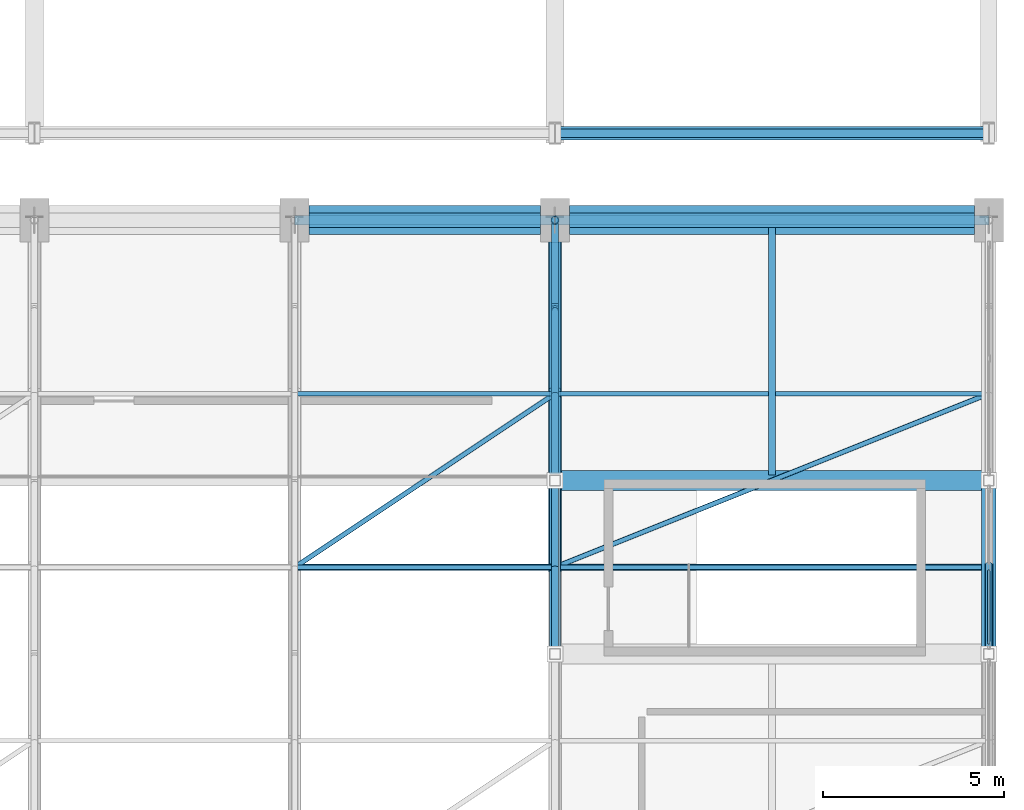
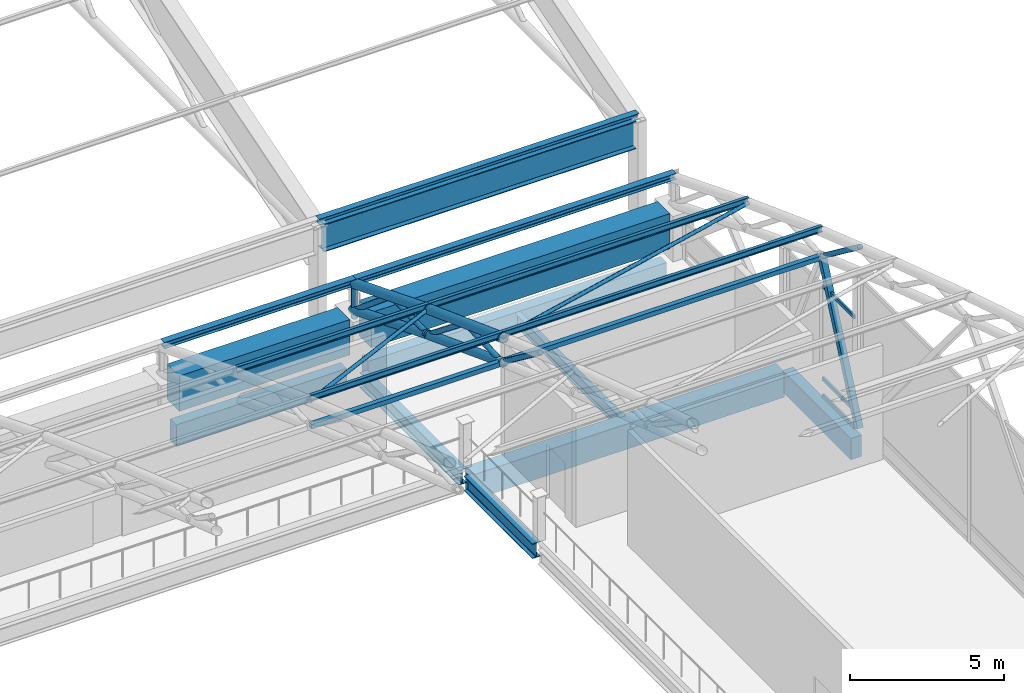
# One storey, part 60 of 116: 26 members, 10 beams, 1 element without a shape of its own.
"""IFC4 building model written with IfcOpenShell, lengths in metres."""

import ifcopenshell
import ifcopenshell.guid

model = None  # the IFC model being written
_history = None  # IfcOwnerHistory: only IFC2X3 demands one
_inside = {}  # id of a spatial element -> (the spatial element, [elements in it])
_under = {}  # id of a project, library or spatial element -> (it, [spatial elements below it])
_declared = {}  # id of a project -> (the project, [libraries it declares])
_typed = {}  # id of a type object -> (the type object, [elements of that type])
_made_of = {}  # id of a material, layer set ... -> (it, [elements and type objects made of it])


def new_model(schema):
    """Start an empty IFC model of exactly this schema.

    Asked for "IFC4X3", IfcOpenShell would pick the latest addendum, in which some entities
    have other attributes; the version numbers below select the first issue.
    IFC2X3 requires an IfcOwnerHistory on every rooted entity: one is made here for all.
    """
    global model, _history
    if schema == "IFC4X3":
        model = ifcopenshell.file(schema_version=(4, 3, 0, 0))
    else:
        model = ifcopenshell.file(schema=schema)
    _inside.clear()
    _under.clear()
    _declared.clear()
    _typed.clear()
    _made_of.clear()
    _history = None
    if model.schema == "IFC2X3":
        org = make("IfcOrganization", Name="unknown")
        user = make(
            "IfcPersonAndOrganization",
            ThePerson=make("IfcPerson", FamilyName="unknown"),
            TheOrganization=org,
        )
        app = make(
            "IfcApplication",
            ApplicationDeveloper=org,
            Version="unknown",
            ApplicationFullName="unknown",
            ApplicationIdentifier="unknown",
        )
        _history = make(
            "IfcOwnerHistory",
            OwningUser=user,
            OwningApplication=app,
            ChangeAction="ADDED",
            CreationDate=0,
        )
    return model


def make(cls, **values):
    """One entity of the class cls with the attributes given. An attribute that is None is left unset."""
    return model.create_entity(
        cls, **{name: value for name, value in values.items() if value is not None}
    )


def rooted(cls, **values):
    """An entity with a GlobalId (a new one), such as an element, a storey or a relation."""
    return make(cls, GlobalId=ifcopenshell.guid.new(), OwnerHistory=_history, **values)


def si_unit(unit_type, name, prefix=None):
    """IfcSIUnit, for example si_unit("LENGTHUNIT", "METRE", prefix="MILLI")."""
    return make("IfcSIUnit", UnitType=unit_type, Prefix=prefix, Name=name)


def assignment(units):
    """IfcUnitAssignment: the units of a project."""
    return None if units is None else make("IfcUnitAssignment", Units=units)


def point(xyz):
    """IfcCartesianPoint."""
    return None if xyz is None else make("IfcCartesianPoint", Coordinates=xyz)


def direction(xyz):
    """IfcDirection."""
    return None if xyz is None else make("IfcDirection", DirectionRatios=xyz)


def frame(location, z_axis=None, x_axis=None):
    """IfcAxis2Placement3D, a coordinate frame: its origin and axes. An axis left out is left unset."""
    return make(
        "IfcAxis2Placement3D",
        Location=point(location),
        Axis=direction(z_axis),
        RefDirection=direction(x_axis),
    )


def frame_2d(location, x_axis=None):
    """IfcAxis2Placement2D, a coordinate frame in the plane: its origin and x axis."""
    return make(
        "IfcAxis2Placement2D", Location=point(location), RefDirection=direction(x_axis)
    )


def origin():
    """The frame at (0, 0, 0) with its axes left unset."""
    return frame((0.0, 0.0, 0.0))


def origin_2d():
    """The frame at (0, 0) in the plane with its x axis left unset."""
    return frame_2d((0.0, 0.0))


def place(relative_to, where):
    """IfcLocalPlacement: puts the frame where relative to a parent placement (None: the world)."""
    return make(
        "IfcLocalPlacement", PlacementRelTo=relative_to, RelativePlacement=where
    )


def context(
    kind, dimensions, precision=None, world=None, true_north=None, identifier=None
):
    """IfcGeometricRepresentationContext, for example the 3D "Model" context."""
    return make(
        "IfcGeometricRepresentationContext",
        ContextIdentifier=identifier,
        ContextType=kind,
        CoordinateSpaceDimension=dimensions,
        Precision=precision,
        WorldCoordinateSystem=world,
        TrueNorth=true_north,
    )


def subcontext(parent, identifier, kind, view, scale=None):
    """IfcGeometricRepresentationSubContext, for example "Body" below "Model"."""
    return make(
        "IfcGeometricRepresentationSubContext",
        ContextIdentifier=identifier,
        ContextType=kind,
        ParentContext=parent,
        TargetScale=scale,
        TargetView=view,
    )


def project(units=None, contexts=None):
    """IfcProject with its units and contexts."""
    return rooted(
        "IfcProject",
        Name="project",
        RepresentationContexts=contexts,
        UnitsInContext=assignment(units),
    )


def spatial(cls, under=None, at=None, **own):
    """A site, building, storey or space (cls), placed at a placement, below another one or the project."""
    s = rooted(cls, ObjectPlacement=at, **own)
    if under is not None:
        _under.setdefault(under.id(), (under, []))[1].append(s)
    return s


def profile(cls, at=None, kind="AREA", **sizes):
    """A parametric profile (cls). Its sizes go by their IFC names, for example OverallWidth=200.0."""
    return make(cls, ProfileType=kind, Position=at, **sizes)


def rectangle(**sizes):
    """IfcRectangleProfileDef."""
    return profile("IfcRectangleProfileDef", **sizes)


def hollow_rectangle(**sizes):
    """IfcRectangleHollowProfileDef."""
    return profile("IfcRectangleHollowProfileDef", **sizes)


def hollow_circle(**sizes):
    """IfcCircleHollowProfileDef."""
    return profile("IfcCircleHollowProfileDef", **sizes)


def i_section(**sizes):
    """IfcIShapeProfileDef."""
    return profile("IfcIShapeProfileDef", **sizes)


def extrude(swept, where, along, depth):
    """IfcExtrudedAreaSolid: the profile swept, set in the frame where, extruded along a direction by depth."""
    return make(
        "IfcExtrudedAreaSolid",
        SweptArea=swept,
        Position=where,
        ExtrudedDirection=direction(along),
        Depth=depth,
    )


def shape(context_of_items, identifier, shape_type, items):
    """IfcShapeRepresentation: the items that make up one representation, for example the "Body"."""
    return make(
        "IfcShapeRepresentation",
        ContextOfItems=context_of_items,
        RepresentationIdentifier=identifier,
        RepresentationType=shape_type,
        Items=items,
    )


def material(Name=None, Category=None):
    """IfcMaterial."""
    return make("IfcMaterial", Name=Name, Category=Category)


def material_profile(
    of_material, cross_section, Name=None, Category=None, Priority=None
):
    """IfcMaterialProfile: a cross section and its material."""
    return make(
        "IfcMaterialProfile",
        Name=Name,
        Material=of_material,
        Profile=cross_section,
        Priority=Priority,
        Category=Category,
    )


def profile_set(profiles, Name=None, composite=None):
    """IfcMaterialProfileSet."""
    return make(
        "IfcMaterialProfileSet",
        Name=Name,
        MaterialProfiles=profiles,
        CompositeProfile=composite,
    )


def made_of(thing, what):
    """Note that an element or type object is made of a material, layer set ...; save() writes the relation."""
    if what is not None:
        _made_of.setdefault(what.id(), (what, []))[1].append(thing)
    return thing


def type_object(cls, material=None, **own):
    """A type object (cls), such as IfcWallType, which elements share."""
    return made_of(rooted(cls, **own), material)


def element(
    cls,
    number,
    at=None,
    inside=None,
    cuts=None,
    type_object=None,
    material=None,
    context=None,
    identifier="Body",
    shape_type=None,
    held_by="IfcProductDefinitionShape",
    body=None,
    shapes=None,
    **own,
):
    """One element of the class cls, such as IfcWall. Its Tag is "e" and its number.

    at: its placement. inside: the storey or other place that contains it. cuts: it is an
    opening in that element (IfcRelVoidsElement). A single representation is given by context,
    identifier, shape_type and body (its items); several are given by shapes. held_by: the class
    of the entity that holds the representations. save() writes the other relations.
    """
    e = rooted(cls, Tag="e%d" % number, ObjectPlacement=at, **own)
    if body is not None:
        shapes = [shape(context, identifier, shape_type, body)]
    if shapes is not None:
        e.Representation = make(held_by, Representations=shapes)
    if inside is not None:
        _inside.setdefault(inside.id(), (inside, []))[1].append(e)
    if cuts is not None:
        rooted(
            "IfcRelVoidsElement", RelatingBuildingElement=cuts, RelatedOpeningElement=e
        )
    if type_object is not None:
        _typed.setdefault(type_object.id(), (type_object, []))[1].append(e)
    return made_of(e, material)


def aggregate(whole, parts):
    """IfcRelAggregates: a whole, such as a stair, and the parts it consists of."""
    return rooted("IfcRelAggregates", RelatingObject=whole, RelatedObjects=parts)


def save(model, path):
    """Write the relations noted so far, then the file.

    IfcRelAggregates (storeys below a building ...), IfcRelContainedInSpatialStructure (elements
    in a storey), IfcRelDefinesByType, IfcRelAssociatesMaterial and IfcRelDeclares: one each for
    every whole, place, type object, material and project.
    """
    for whole, parts in _under.values():
        aggregate(whole, parts)
    for where, things in _inside.values():
        rooted(
            "IfcRelContainedInSpatialStructure",
            RelatedElements=things,
            RelatingStructure=where,
        )
    for kind, things in _typed.values():
        rooted("IfcRelDefinesByType", RelatedObjects=things, RelatingType=kind)
    for what, things in _made_of.values():
        rooted("IfcRelAssociatesMaterial", RelatedObjects=things, RelatingMaterial=what)
    for by, libraries in _declared.values():
        rooted("IfcRelDeclares", RelatingContext=by, RelatedDefinitions=libraries)
    model.write(path)


model = new_model("IFC4")

# Units and contexts
model_context = context("Model", 3, precision=1e-05, world=origin(), true_north=direction((0.0, 1.0)))
body_context = subcontext(model_context, "Body", "Model", "MODEL_VIEW")
ifc_project = project(units=[si_unit("LENGTHUNIT", "METRE"), si_unit("AREAUNIT", "SQUARE_METRE"), si_unit("VOLUMEUNIT", "CUBIC_METRE"), si_unit("PLANEANGLEUNIT", "RADIAN"), si_unit("MASSUNIT", "GRAM", prefix="KILO")], contexts=[model_context])

# Site, building, storey
site_placement = place(None, origin())
site = spatial("IfcSite", under=ifc_project, at=site_placement, CompositionType="ELEMENT")
building_placement = place(site_placement, origin())
building = spatial("IfcBuilding", under=site, at=building_placement, Name="Cendralis Lancet Convention Centre", CompositionType="ELEMENT")
storey_placement = place(building_placement, frame((0.0, 0.0, 15.0)))
storey = spatial("IfcBuildingStorey", under=building, at=storey_placement, Name="L03", CompositionType="ELEMENT", Elevation=15.0)

# Curtain wall, members
ifc_material_1 = material(Name="Anodised bronze architectural aluminium", Category="aluminium")
curtain_wall_type = type_object("IfcCurtainWallType", Name="ARC-CW-PL02", PredefinedType="USERDEFINED", material=ifc_material_1)
curtain_wall_placement = place(storey_placement, origin())
curtain_wall = element("IfcCurtainWall", 1, at=curtain_wall_placement, inside=storey, type_object=curtain_wall_type, Name="L03 Curtain Wall CW-PL2 #144", ObjectType="CURTAIN WALL", PredefinedType="USERDEFINED")
ifc_material_profile_1 = material_profile(ifc_material_1, hollow_rectangle(XDim=0.070068359375, YDim=0.139892578125, WallThickness=0.00390625, at=origin_2d()), Name="AL-TRAN 70x140x4.0")
ifc_profile_set_1 = profile_set([ifc_material_profile_1], Name="Anodised bronze architectural aluminium")
member_type_1 = type_object("IfcMemberType", Name="ARC-CW-TR02", PredefinedType="USERDEFINED", material=ifc_profile_set_1)
member_1_placement = place(storey_placement, frame((208.800048828125, 81.530029296875, 0.070068359375), z_axis=(0.0, -1.0, 0.0), x_axis=(1.0, 0.0, 0.0)))
member_1 = element("IfcMember", 2, at=member_1_placement, type_object=member_type_1, Name="Transom CW2-CW-PL2-L03-144-T1BOT", ObjectType="TRANSOM", PredefinedType="USERDEFINED", context=body_context, shape_type="SweptSolid", body=[
    extrude(hollow_rectangle(XDim=0.070068359375, YDim=0.139892578125, WallThickness=0.00390625, at=origin_2d()), origin(), (0.0, 0.0, 1.0), 2.06005859375),
])
member_2_placement = place(storey_placement, frame((208.800048828125, 81.530029296875, 0.75), z_axis=(0.0, -1.0, 0.0), x_axis=(1.0, 0.0, 0.0)))
member_2 = element("IfcMember", 3, at=member_2_placement, type_object=member_type_1, Name="Transom CW2-CW-PL2-L03-144-T1MID", ObjectType="TRANSOM", PredefinedType="USERDEFINED", context=body_context, shape_type="SweptSolid", body=[
    extrude(hollow_rectangle(XDim=0.070068359375, YDim=0.139892578125, WallThickness=0.00390625, at=origin_2d()), origin(), (0.0, 0.0, 1.0), 2.06005859375),
])
member_3_placement = place(storey_placement, frame((208.800048828125, 81.530029296875, 4.427001953125), z_axis=(0.0, -1.0, 0.0), x_axis=(1.0, 0.0, 0.0)))
member_3 = element("IfcMember", 4, at=member_3_placement, type_object=member_type_1, Name="Transom CW2-CW-PL2-L03-144-T1TOP", ObjectType="TRANSOM", PredefinedType="USERDEFINED", context=body_context, shape_type="SweptSolid", body=[
    extrude(hollow_rectangle(XDim=0.070068359375, YDim=0.139892578125, WallThickness=0.00390625, at=origin_2d()), origin(), (0.0, 0.0, 1.0), 2.06005859375),
])
aggregate(curtain_wall, [member_1, member_2, member_3])

# Beams
ifc_material_2 = material(Name="Concrete G40 (C40/50)", Category="concrete")
ifc_material_profile_2 = material_profile(ifc_material_2, rectangle(XDim=0.550048828125, YDim=1.0, at=origin_2d()), Name="RCB 550x1000")
ifc_profile_set_2 = profile_set([ifc_material_profile_2], Name="Concrete G40 (C40/50)")
beam_type_1 = type_object("IfcBeamType", Name="STR-BM-BG05", PredefinedType="BEAM", material=ifc_profile_set_2)
beam_1_placement = place(storey_placement, frame((196.97509765625, 84.0, -0.760009765625), z_axis=(1.0, 0.0, 0.0), x_axis=(0.0, 1.0, 0.0)))
element("IfcBeam", 5, at=beam_1_placement, inside=storey, type_object=beam_type_1, Name="L03 Beam BG05 #1531", PredefinedType="BEAM", context=body_context, shape_type="SweptSolid", body=[
    extrude(rectangle(XDim=0.550048828125, YDim=1.0, at=origin_2d()), origin(), (0.0, 0.0, 1.0), 11.64990234375),
])
ifc_material_profile_3 = material_profile(ifc_material_2, rectangle(XDim=0.800048828125, YDim=1.39990234375, at=origin_2d()), Name="RCB 800x1400")
ifc_profile_set_3 = profile_set([ifc_material_profile_3], Name="Concrete G40 (C40/50)")
beam_type_2 = type_object("IfcBeamType", Name="STR-BM-BG17", PredefinedType="BEAM", material=ifc_profile_set_3)
beam_2_placement = place(storey_placement, frame((190.0, 91.199951171875, 1.10009765625), z_axis=(1.0, 0.0, 0.0), x_axis=(0.0, 1.0, 0.0)))
element("IfcBeam", 6, at=beam_2_placement, inside=storey, type_object=beam_type_2, Name="L03 Beam BG17 #1575", PredefinedType="BEAM", context=body_context, shape_type="SweptSolid", body=[
    extrude(rectangle(XDim=0.800048828125, YDim=1.39990234375, at=origin_2d()), origin(), (0.0, 0.0, 1.0), 6.39990234375),
])
beam_3_placement = place(storey_placement, frame((197.199951171875, 91.199951171875, 1.10009765625), z_axis=(1.0, 0.0, 0.0), x_axis=(0.0, 1.0, 0.0)))
element("IfcBeam", 7, at=beam_3_placement, inside=storey, type_object=beam_type_2, Name="L03 Beam BG17 #1576", PredefinedType="BEAM", context=body_context, shape_type="SweptSolid", body=[
    extrude(rectangle(XDim=0.800048828125, YDim=1.39990234375, at=origin_2d()), origin(), (0.0, 0.0, 1.0), 11.199951171875),
])
ifc_material_3 = material(Name="Steel S355", Category="steel")
ifc_material_profile_4 = material_profile(ifc_material_3, i_section(OverallWidth=0.3798828125, OverallDepth=1.10009765625, WebThickness=0.01611328125, FlangeThickness=0.030029296875, at=origin_2d()), Name="PG 1100x380")
ifc_profile_set_4 = profile_set([ifc_material_profile_4], Name="Steel S355")
beam_type_3 = type_object("IfcBeamType", Name="STR-BM-SG04", PredefinedType="BEAM", material=ifc_profile_set_4)
beam_4_placement = place(storey_placement, frame((196.949951171875, 93.60009765625, 3.25), z_axis=(1.0, 0.0, 0.0), x_axis=(0.0, 1.0, 0.0)))
element("IfcBeam", 8, at=beam_4_placement, inside=storey, type_object=beam_type_3, Name="L03 Beam SG04 #1787", PredefinedType="BEAM", context=body_context, shape_type="SweptSolid", body=[
    extrude(i_section(OverallWidth=0.3798828125, OverallDepth=1.10009765625, WebThickness=0.01611328125, FlangeThickness=0.030029296875, at=origin_2d()), origin(), (0.0, 0.0, 1.0), 11.699951171875),
])
ifc_material_profile_5 = material_profile(ifc_material_3, i_section(OverallWidth=0.300048828125, OverallDepth=0.590087890625, WebThickness=0.012939453125, FlangeThickness=0.02490234375, FilletRadius=0.027099609375, at=origin_2d()), Name="HEA 600")
ifc_profile_set_5 = profile_set([ifc_material_profile_5], Name="Steel S355")
beam_type_4 = type_object("IfcBeamType", Name="STR-BM-SG10", PredefinedType="BEAM", material=ifc_profile_set_5)
beam_5_placement = place(storey_placement, frame((196.800048828125, 79.375, -0.554931640625), z_axis=(0.0, 1.0, 0.0), x_axis=(-1.0, 0.0, 0.0)))
element("IfcBeam", 9, at=beam_5_placement, inside=storey, type_object=beam_type_4, Name="L03 Beam SG10 #1545", PredefinedType="BEAM", context=body_context, shape_type="SweptSolid", body=[
    extrude(i_section(OverallWidth=0.300048828125, OverallDepth=0.590087890625, WebThickness=0.012939453125, FlangeThickness=0.02490234375, FilletRadius=0.027099609375, at=origin_2d()), origin(), (0.0, 0.0, 1.0), 4.449951171875),
])
beam_6_placement = place(storey_placement, frame((196.800048828125, 84.175048828125, -0.554931640625), z_axis=(0.0, 1.0, 0.0), x_axis=(-1.0, 0.0, 0.0)))
element("IfcBeam", 10, at=beam_6_placement, inside=storey, type_object=beam_type_4, Name="L03 Beam SG10 #1546", PredefinedType="BEAM", context=body_context, shape_type="SweptSolid", body=[
    extrude(i_section(OverallWidth=0.300048828125, OverallDepth=0.590087890625, WebThickness=0.012939453125, FlangeThickness=0.02490234375, FilletRadius=0.027099609375, at=origin_2d()), origin(), (0.0, 0.0, 1.0), 6.425048828125),
])

# Members
ifc_material_profile_6 = material_profile(ifc_material_3, hollow_rectangle(XDim=0.219970703125, YDim=0.219970703125, WallThickness=0.012451171875, at=origin_2d()), Name="SHS 220x220x12.5")
ifc_profile_set_6 = profile_set([ifc_material_profile_6], Name="Steel S355")
member_type_2 = type_object("IfcMemberType", Name="STR-BR-GB02", PredefinedType="BRACE", material=ifc_profile_set_6)
member_4_placement = place(storey_placement, frame((208.800048828125, 79.199951171875, 0.199951171875), z_axis=(0.0, 0.4089424352, 0.912560181409), x_axis=(-1.0, 0.0, 0.0)))
element("IfcMember", 11, at=member_4_placement, inside=storey, type_object=member_type_2, Name="Plenary Gable Gothic Ogival Tracery Rib GBR2 #077", PredefinedType="BRACE", context=body_context, shape_type="SweptSolid", body=[
    extrude(hollow_rectangle(XDim=0.219970703125, YDim=0.219970703125, WallThickness=0.012451171875, at=origin_2d()), origin(), (0.0, 0.0, 1.0), 5.869140625),
])
ifc_material_profile_7 = material_profile(ifc_material_3, hollow_circle(Radius=0.06982421875, WallThickness=0.00634765625, at=origin_2d()), Name="CHS 139.7x6.3")
ifc_profile_set_7 = profile_set([ifc_material_profile_7], Name="Steel S355")
member_type_3 = type_object("IfcMemberType", Name="STR-BR-RB02", PredefinedType="BRACE", material=ifc_profile_set_7)
member_5_placement = place(storey_placement, frame((189.60009765625, 81.60009765625, 6.538818359375), z_axis=(0.814912264104, 0.54325642102, -0.201966489381), x_axis=(-0.554687174313, 0.832058975466, 0.0)))
element("IfcMember", 12, at=member_5_placement, inside=storey, type_object=member_type_3, Name="Roof Diaphragm Brace RB02 V2-07-08A", PredefinedType="BRACE", context=body_context, shape_type="SweptSolid", body=[
    extrude(hollow_circle(Radius=0.06982421875, WallThickness=0.00634765625, at=origin_2d()), origin(), (0.0, 0.0, 1.0), 8.835205078125),
])
member_6_placement = place(storey_placement, frame((196.800048828125, 81.60009765625, 6.538818359375), z_axis=(0.919756842159, 0.367887766863, -0.136769668769), x_axis=(-0.371377648723, 0.928481901832, 0.0)))
element("IfcMember", 13, at=member_6_placement, inside=storey, type_object=member_type_3, Name="Roof Diaphragm Brace RB02 V2-08-08A", PredefinedType="BRACE", context=body_context, shape_type="SweptSolid", body=[
    extrude(hollow_circle(Radius=0.06982421875, WallThickness=0.00634765625, at=origin_2d()), origin(), (0.0, 0.0, 1.0), 13.046875),
])
ifc_material_profile_8 = material_profile(ifc_material_3, hollow_rectangle(XDim=0.179931640625, YDim=0.179931640625, WallThickness=0.010009765625, at=origin_2d()), Name="SHS 180x180x10.0")
ifc_profile_set_8 = profile_set([ifc_material_profile_8], Name="Steel S355")
member_type_4 = type_object("IfcMemberType", Name="STR-BR-ST02", PredefinedType="STRUT", material=ifc_profile_set_8)
member_7_placement = place(storey_placement, frame((189.60009765625, 81.60009765625, 5.555908203125), z_axis=(1.0, 0.0, 0.0), x_axis=(0.0, 1.0, 0.0)))
element("IfcMember", 14, at=member_7_placement, inside=storey, type_object=member_type_4, Name="Arch Tie Strut ST02 V2-07-08", PredefinedType="STRUT", context=body_context, shape_type="SweptSolid", body=[
    extrude(hollow_rectangle(XDim=0.179931640625, YDim=0.179931640625, WallThickness=0.010009765625, at=origin_2d()), origin(), (0.0, 0.0, 1.0), 7.199951171875),
])
member_8_placement = place(storey_placement, frame((196.800048828125, 81.60009765625, 5.555908203125), z_axis=(1.0, 0.0, 0.0), x_axis=(0.0, 1.0, 0.0)))
element("IfcMember", 15, at=member_8_placement, inside=storey, type_object=member_type_4, Name="Arch Tie Strut ST02 V2-08-08", PredefinedType="STRUT", context=body_context, shape_type="SweptSolid", body=[
    extrude(hollow_rectangle(XDim=0.179931640625, YDim=0.179931640625, WallThickness=0.010009765625, at=origin_2d()), origin(), (0.0, 0.0, 1.0), 12.0),
])

# Beam
ifc_material_profile_9 = material_profile(ifc_material_3, i_section(OverallWidth=0.199951171875, OverallDepth=0.5, WebThickness=0.01025390625, FlangeThickness=0.01611328125, FilletRadius=0.02099609375, at=origin_2d()), Name="IPE 500")
ifc_profile_set_9 = profile_set([ifc_material_profile_9], Name="Steel S355")
beam_type_5 = type_object("IfcBeamType", Name="STR-JS-BJ06", PredefinedType="JOIST", material=ifc_profile_set_9)
beam_7_placement = place(storey_placement, frame((202.800048828125, 84.14990234375, -0.510009765625), z_axis=(0.0, 1.0, 0.0), x_axis=(-1.0, 0.0, 0.0)))
element("IfcBeam", 16, at=beam_7_placement, inside=storey, type_object=beam_type_5, Name="L03 Beam BJ06 #1558", PredefinedType="JOIST", context=body_context, shape_type="SweptSolid", body=[
    extrude(i_section(OverallWidth=0.199951171875, OverallDepth=0.5, WebThickness=0.01025390625, FlangeThickness=0.01611328125, FilletRadius=0.02099609375, at=origin_2d()), origin(), (0.0, 0.0, 1.0), 6.85009765625),
])

# Members
ifc_material_profile_10 = material_profile(ifc_material_3, i_section(OverallWidth=0.1201171875, OverallDepth=0.239990234375, WebThickness=0.006103515625, FlangeThickness=0.009765625, FilletRadius=0.014892578125, at=origin_2d()), Name="IPE 240")
ifc_profile_set_10 = profile_set([ifc_material_profile_10], Name="Steel S355")
member_type_5 = type_object("IfcMemberType", Name="STR-PR-PR02", PredefinedType="PURLIN", material=ifc_profile_set_10)
for number, where, z_axis, x_axis, name in (
    (17, (189.60009765625, 81.60009765625, 6.668701171875), (1.0, 0.0, 0.0), (0.0, 1.0, 0.0), "Vault Roof Purlin PR02 V2-07-08"),
    (18, (189.60009765625, 86.39990234375, 4.884521484375), (1.0, 0.0, 0.0), (0.0, 1.0, 0.0), "Vault Roof Purlin PR02 V2-07-09"),
):
    element("IfcMember", number, at=place(storey_placement, frame(where, z_axis=z_axis, x_axis=x_axis)), inside=storey, type_object=member_type_5, Name=name, PredefinedType="PURLIN", context=body_context, shape_type="SweptSolid", body=[
        extrude(i_section(OverallWidth=0.1201171875, OverallDepth=0.239990234375, WebThickness=0.006103515625, FlangeThickness=0.009765625, FilletRadius=0.014892578125, at=origin_2d()), origin(), (0.0, 0.0, 1.0), 7.199951171875),
    ])
for number, where, z_axis, x_axis, name in (
    (19, (196.800048828125, 81.60009765625, 6.668701171875), (1.0, 0.0, 0.0), (0.0, 1.0, 0.0), "Vault Roof Purlin PR02 V2-08-08"),
    (20, (196.800048828125, 86.39990234375, 4.884521484375), (1.0, 0.0, 0.0), (0.0, 1.0, 0.0), "Vault Roof Purlin PR02 V2-08-09"),
):
    element("IfcMember", number, at=place(storey_placement, frame(where, z_axis=z_axis, x_axis=x_axis)), inside=storey, type_object=member_type_5, Name=name, PredefinedType="PURLIN", context=body_context, shape_type="SweptSolid", body=[
        extrude(i_section(OverallWidth=0.1201171875, OverallDepth=0.239990234375, WebThickness=0.006103515625, FlangeThickness=0.009765625, FilletRadius=0.014892578125, at=origin_2d()), origin(), (0.0, 0.0, 1.0), 12.0),
    ])
ifc_material_profile_11 = material_profile(ifc_material_3, i_section(OverallWidth=0.260009765625, OverallDepth=0.25, WebThickness=0.007568359375, FlangeThickness=0.012451171875, FilletRadius=0.02392578125, at=origin_2d()), Name="HEA 260")
ifc_profile_set_11 = profile_set([ifc_material_profile_11], Name="Steel S355")
member_type_6 = type_object("IfcMemberType", Name="STR-PR-PR07", PredefinedType="PURLIN", material=ifc_profile_set_11)
member_9_placement = place(storey_placement, frame((189.60009765625, 91.199951171875, 2.97509765625), z_axis=(1.0, 0.0, 0.0), x_axis=(0.0, 1.0, 0.0)))
element("IfcMember", 21, at=member_9_placement, inside=storey, type_object=member_type_6, Name="Vault Roof Purlin PR07 V2-07-10", PredefinedType="PURLIN", context=body_context, shape_type="SweptSolid", body=[
    extrude(i_section(OverallWidth=0.260009765625, OverallDepth=0.25, WebThickness=0.007568359375, FlangeThickness=0.012451171875, FilletRadius=0.02392578125, at=origin_2d()), origin(), (0.0, 0.0, 1.0), 7.199951171875),
])
member_10_placement = place(storey_placement, frame((196.800048828125, 91.199951171875, 2.97509765625), z_axis=(1.0, 0.0, 0.0), x_axis=(0.0, 1.0, 0.0)))
element("IfcMember", 22, at=member_10_placement, inside=storey, type_object=member_type_6, Name="Vault Roof Purlin PR07 V2-08-10", PredefinedType="PURLIN", context=body_context, shape_type="SweptSolid", body=[
    extrude(i_section(OverallWidth=0.260009765625, OverallDepth=0.25, WebThickness=0.007568359375, FlangeThickness=0.012451171875, FilletRadius=0.02392578125, at=origin_2d()), origin(), (0.0, 0.0, 1.0), 12.0),
])
ifc_material_profile_12 = material_profile(ifc_material_3, i_section(OverallWidth=0.239990234375, OverallDepth=0.22998046875, WebThickness=0.007568359375, FlangeThickness=0.011962890625, FilletRadius=0.02099609375, at=origin_2d()), Name="HEA 240")
ifc_profile_set_12 = profile_set([ifc_material_profile_12], Name="Steel S355")
member_type_7 = type_object("IfcMemberType", Name="STR-PR-PR08", PredefinedType="PURLIN", material=ifc_profile_set_12)
member_11_placement = place(storey_placement, frame((196.800048828125, 93.60009765625, 3.89501953125), z_axis=(1.0, 0.0, 0.0), x_axis=(0.0, 1.0, 0.0)))
element("IfcMember", 23, at=member_11_placement, inside=storey, type_object=member_type_7, Name="Ballroom Roof Purlin PR08 197-93.6", PredefinedType="PURLIN", context=body_context, shape_type="SweptSolid", body=[
    extrude(i_section(OverallWidth=0.239990234375, OverallDepth=0.22998046875, WebThickness=0.007568359375, FlangeThickness=0.011962890625, FilletRadius=0.02099609375, at=origin_2d()), origin(), (0.0, 0.0, 1.0), 12.0),
])

# Beams
ifc_material_profile_13 = material_profile(ifc_material_2, rectangle(XDim=0.39990234375, YDim=0.85009765625, at=origin_2d()), Name="RCB 400x850")
ifc_profile_set_13 = profile_set([ifc_material_profile_13], Name="Concrete G40 (C40/50)")
beam_type_6 = type_object("IfcBeamType", Name="STR-SP-SP02", PredefinedType="SPANDREL", material=ifc_profile_set_13)
beam_8_placement = place(storey_placement, frame((190.0, 91.199951171875, -0.68505859375), z_axis=(1.0, 0.0, 0.0), x_axis=(0.0, 1.0, 0.0)))
element("IfcBeam", 24, at=beam_8_placement, inside=storey, type_object=beam_type_6, Name="L03 Beam SP02 #1520", PredefinedType="SPANDREL", context=body_context, shape_type="SweptSolid", body=[
    extrude(rectangle(XDim=0.39990234375, YDim=0.85009765625, at=origin_2d()), origin(), (0.0, 0.0, 1.0), 6.39990234375),
])
beam_9_placement = place(storey_placement, frame((197.199951171875, 91.199951171875, -0.68505859375), z_axis=(1.0, 0.0, 0.0), x_axis=(0.0, 1.0, 0.0)))
element("IfcBeam", 25, at=beam_9_placement, inside=storey, type_object=beam_type_6, Name="L03 Beam SP02 #1521", PredefinedType="SPANDREL", context=body_context, shape_type="SweptSolid", body=[
    extrude(rectangle(XDim=0.39990234375, YDim=0.85009765625, at=origin_2d()), origin(), (0.0, 0.0, 1.0), 11.199951171875),
])
beam_10_placement = place(storey_placement, frame((208.800048828125, 79.375, -0.68505859375), z_axis=(0.0, 1.0, 0.0), x_axis=(-1.0, 0.0, 0.0)))
element("IfcBeam", 26, at=beam_10_placement, inside=storey, type_object=beam_type_6, Name="L03 Beam SP02 #1550", PredefinedType="SPANDREL", context=body_context, shape_type="SweptSolid", body=[
    extrude(rectangle(XDim=0.39990234375, YDim=0.85009765625, at=origin_2d()), origin(), (0.0, 0.0, 1.0), 4.449951171875),
])

# Members
ifc_material_profile_14 = material_profile(ifc_material_3, hollow_circle(Radius=0.161865234375, WallThickness=0.01416015625, at=origin_2d()), Name="CHS 323.9x14.2")
ifc_profile_set_14 = profile_set([ifc_material_profile_14], Name="Steel S355")
member_type_8 = type_object("IfcMemberType", Name="STR-TR-BC02-INT", PredefinedType="CHORD", material=ifc_profile_set_14)
member_12_placement = place(storey_placement, frame((196.800048828125, 81.48779296875, 5.598388671875), z_axis=(0.0, 0.935181338514, -0.354169259105), x_axis=(-1.0, 0.0, 0.0)))
element("IfcMember", 27, at=member_12_placement, inside=storey, type_object=member_type_8, Name="ROOF TRUSS AT-V2-09 Bottom Chord 08", PredefinedType="CHORD", context=body_context, shape_type="SweptSolid", body=[
    extrude(hollow_circle(Radius=0.161865234375, WallThickness=0.01416015625, at=origin_2d()), origin(), (0.0, 0.0, 1.0), 5.37255859375),
])
member_13_placement = place(storey_placement, frame((196.800048828125, 86.288818359375, 3.782958984375), z_axis=(0.0, 0.927271931531, -0.374388521451), x_axis=(-1.0, 0.0, 0.0)))
element("IfcMember", 28, at=member_13_placement, inside=storey, type_object=member_type_8, Name="ROOF TRUSS AT-V2-09 Bottom Chord 09", PredefinedType="CHORD", context=body_context, shape_type="SweptSolid", body=[
    extrude(hollow_circle(Radius=0.161865234375, WallThickness=0.01416015625, at=origin_2d()), origin(), (0.0, 0.0, 1.0), 5.41650390625),
])
ifc_material_profile_15 = material_profile(ifc_material_3, hollow_circle(Radius=0.177734375, WallThickness=0.01611328125, at=origin_2d()), Name="CHS 355.6x16.0")
ifc_profile_set_15 = profile_set([ifc_material_profile_15], Name="Steel S355")
member_type_9 = type_object("IfcMemberType", Name="STR-TR-TC02-INT", PredefinedType="CHORD", material=ifc_profile_set_15)
member_14_placement = place(storey_placement, frame((196.800048828125, 81.487548828125, 6.58056640625), z_axis=(0.0, 0.937332228344, -0.34843692931), x_axis=(-1.0, 0.0, 0.0)))
element("IfcMember", 29, at=member_14_placement, inside=storey, type_object=member_type_9, Name="ROOF TRUSS AT-V2-09 Top Chord 08", PredefinedType="CHORD", context=body_context, shape_type="SweptSolid", body=[
    extrude(hollow_circle(Radius=0.177734375, WallThickness=0.01611328125, at=origin_2d()), origin(), (0.0, 0.0, 1.0), 5.36083984375),
])
member_15_placement = place(storey_placement, frame((196.800048828125, 86.28857421875, 4.798828125), z_axis=(0.0, 0.929495136476, -0.368834368338), x_axis=(-1.0, 0.0, 0.0)))
element("IfcMember", 30, at=member_15_placement, inside=storey, type_object=member_type_9, Name="ROOF TRUSS AT-V2-09 Top Chord 09", PredefinedType="CHORD", context=body_context, shape_type="SweptSolid", body=[
    extrude(hollow_circle(Radius=0.177734375, WallThickness=0.01611328125, at=origin_2d()), origin(), (0.0, 0.0, 1.0), 5.404052734375),
])
ifc_material_profile_16 = material_profile(ifc_material_3, hollow_circle(Radius=0.096923828125, WallThickness=0.008056640625, at=origin_2d()), Name="CHS 193.7x8.0")
ifc_profile_set_16 = profile_set([ifc_material_profile_16], Name="Steel S355")
member_type_10 = type_object("IfcMemberType", Name="STR-TR-WD02", PredefinedType="BRACE", material=ifc_profile_set_16)
member_16_placement = place(storey_placement, frame((208.800048828125, 79.1201171875, 7.43115234375), z_axis=(0.0, 0.797620051478, -0.603160222064), x_axis=(-1.0, 0.0, 0.0)))
element("IfcMember", 31, at=member_16_placement, inside=storey, type_object=member_type_10, Name="ROOF TRUSS AT-V2-10 Warren Web 07-1", PredefinedType="BRACE", context=body_context, shape_type="SweptSolid", body=[
    extrude(hollow_circle(Radius=0.096923828125, WallThickness=0.008056640625, at=origin_2d()), origin(), (0.0, 0.0, 1.0), 3.208984375),
])
ifc_material_profile_17 = material_profile(ifc_material_3, hollow_circle(Radius=0.096923828125, WallThickness=0.008056640625, at=origin_2d()), Name="CHS 193.7x8.0")
ifc_profile_set_17 = profile_set([ifc_material_profile_17], Name="Steel S355")
member_type_11 = type_object("IfcMemberType", Name="STR-TR-WD02-INT", PredefinedType="BRACE", material=ifc_profile_set_17)
member_17_placement = place(storey_placement, frame((196.800048828125, 79.1201171875, 7.43115234375), z_axis=(0.0, 0.797620051478, -0.603160222064), x_axis=(-1.0, 0.0, 0.0)))
element("IfcMember", 32, at=member_17_placement, inside=storey, type_object=member_type_11, Name="ROOF TRUSS AT-V2-09 Warren Web 07-1", PredefinedType="BRACE", context=body_context, shape_type="SweptSolid", body=[
    extrude(hollow_circle(Radius=0.096923828125, WallThickness=0.008056640625, at=origin_2d()), origin(), (0.0, 0.0, 1.0), 3.208984375),
])
member_18_placement = place(storey_placement, frame((196.800048828125, 81.5, 5.55224609375), z_axis=(0.0, 0.999288228514, 0.037723154086), x_axis=(-1.0, 0.0, 0.0)))
element("IfcMember", 33, at=member_18_placement, inside=storey, type_object=member_type_11, Name="ROOF TRUSS AT-V2-09 Warren Web 08-0", PredefinedType="BRACE", context=body_context, shape_type="SweptSolid", body=[
    extrude(hollow_circle(Radius=0.096923828125, WallThickness=0.008056640625, at=origin_2d()), origin(), (0.0, 0.0, 1.0), 2.601806640625),
])
member_19_placement = place(storey_placement, frame((196.800048828125, 83.921630859375, 5.708984375), z_axis=(0.0, 0.782673873306, -0.62243201078), x_axis=(-1.0, 0.0, 0.0)))
element("IfcMember", 34, at=member_19_placement, inside=storey, type_object=member_type_11, Name="ROOF TRUSS AT-V2-09 Warren Web 08-1", PredefinedType="BRACE", context=body_context, shape_type="SweptSolid", body=[
    extrude(hollow_circle(Radius=0.096923828125, WallThickness=0.008056640625, at=origin_2d()), origin(), (0.0, 0.0, 1.0), 3.2666015625),
])
member_20_placement = place(storey_placement, frame((196.800048828125, 86.300048828125, 3.7353515625), z_axis=(0.0, 0.999642061144, 0.0267534968), x_axis=(-1.0, 0.0, 0.0)))
element("IfcMember", 35, at=member_20_placement, inside=storey, type_object=member_type_11, Name="ROOF TRUSS AT-V2-09 Warren Web 09-0", PredefinedType="BRACE", context=body_context, shape_type="SweptSolid", body=[
    extrude(hollow_circle(Radius=0.096923828125, WallThickness=0.008056640625, at=origin_2d()), origin(), (0.0, 0.0, 1.0), 2.600830078125),
])
member_21_placement = place(storey_placement, frame((196.800048828125, 88.72314453125, 3.866455078125), z_axis=(0.0, 0.767848091912, -0.640631959667), x_axis=(-1.0, 0.0, 0.0)))
element("IfcMember", 36, at=member_21_placement, inside=storey, type_object=member_type_11, Name="ROOF TRUSS AT-V2-09 Warren Web 09-1", PredefinedType="BRACE", context=body_context, shape_type="SweptSolid", body=[
    extrude(hollow_circle(Radius=0.096923828125, WallThickness=0.008056640625, at=origin_2d()), origin(), (0.0, 0.0, 1.0), 3.32568359375),
])
ifc_material_profile_18 = material_profile(ifc_material_3, hollow_circle(Radius=0.109619140625, WallThickness=0.010009765625, at=origin_2d()), Name="CHS 219.1x10.0")
ifc_profile_set_18 = profile_set([ifc_material_profile_18], Name="Steel S355")
member_type_12 = type_object("IfcMemberType", Name="STR-TR-WV02-INT", PredefinedType="POST", material=ifc_profile_set_18)
member_22_placement = place(storey_placement, frame((196.800048828125, 91.199951171875, 1.5), z_axis=(0.0, 0.0, 1.0), x_axis=(1.0, 0.0, 0.0)))
element("IfcMember", 37, at=member_22_placement, inside=storey, type_object=member_type_12, Name="ROOF TRUSS AT-V2-09 Springing Post N10", PredefinedType="POST", context=body_context, shape_type="SweptSolid", body=[
    extrude(hollow_circle(Radius=0.109619140625, WallThickness=0.010009765625, at=origin_2d()), origin(), (0.0, 0.0, 1.0), 1.570068359375),
])

save(model, "model.ifc")
